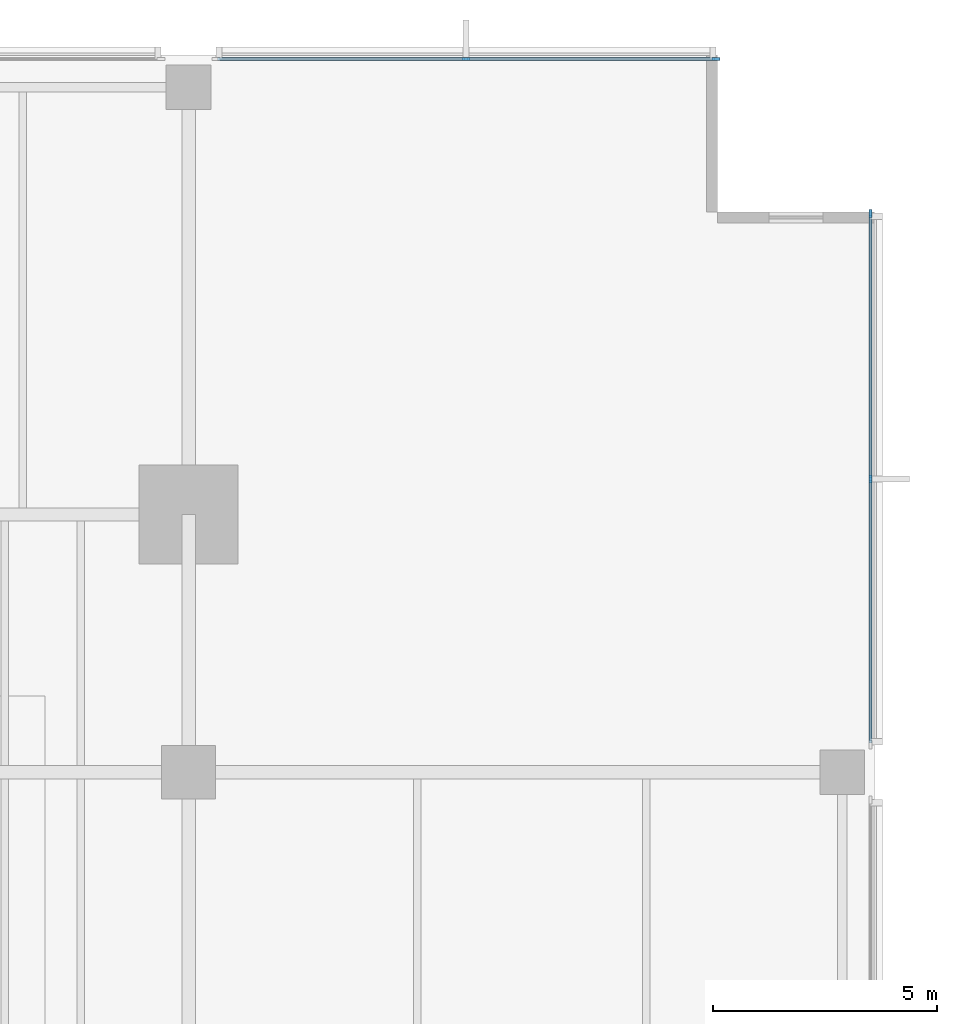
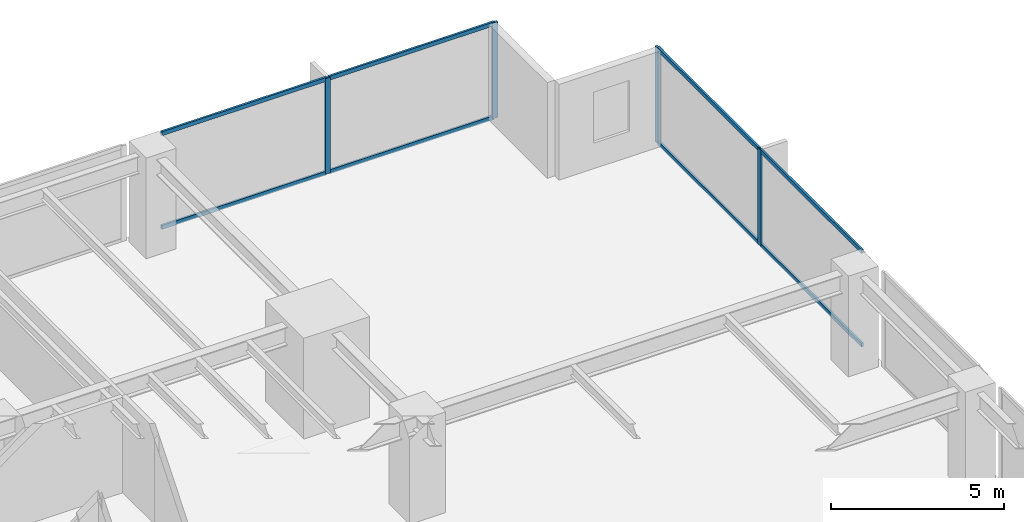
# One storey, part 6 of 15: 12 members, 2 elements without a shape of their own.
"""IFC4 building model written with IfcOpenShell, lengths in metres."""

from ifc_helpers import new_model, si_unit, direction, frame, origin, origin_2d, place, context, subcontext, project, spatial, rectangle, extrude, material, layer, layer_set, material_profile, profile_set, type_object, element, aggregate, save


model = new_model("IFC4")

# Units and contexts
model_context = context("Model", 3, precision=1e-05, world=origin(), true_north=direction((0.0, 1.0)))
body_context = subcontext(model_context, "Body", "Model", "MODEL_VIEW")
ifc_project = project(units=[si_unit("LENGTHUNIT", "METRE"), si_unit("AREAUNIT", "SQUARE_METRE"), si_unit("VOLUMEUNIT", "CUBIC_METRE"), si_unit("PLANEANGLEUNIT", "RADIAN"), si_unit("MASSUNIT", "GRAM", prefix="KILO")], contexts=[model_context])

# Site, building, storey
site_placement = place(None, origin())
site = spatial("IfcSite", under=ifc_project, at=site_placement, CompositionType="ELEMENT")
building_placement = place(site_placement, origin())
building = spatial("IfcBuilding", under=site, at=building_placement, Name="Kinhvarn Gate Tower", CompositionType="ELEMENT")
storey_placement = place(building_placement, frame((0.0, 0.0, 85.949951171875)))
storey = spatial("IfcBuildingStorey", under=building, at=storey_placement, Name="L22", CompositionType="ELEMENT", Elevation=85.949951171875)

# Curtain wall, members
ifc_material = material(Name="Anodised aluminium AW-6063", Category="aluminium")
ifc_layer = layer(ifc_material, 0.179931640625)
ifc_layer_set = layer_set([ifc_layer], Name="Anodised aluminium AW-6063")
curtain_wall_type = type_object("IfcCurtainWallType", Name="CW-SYS-2", PredefinedType="NOTDEFINED", material=ifc_layer_set)
curtain_wall_1_placement = place(storey_placement, origin())
curtain_wall_1 = element("IfcCurtainWall", 1, at=curtain_wall_1_placement, inside=storey, type_object=curtain_wall_type, Name="Curtain Wall CW2 (L22)", PredefinedType="NOTDEFINED")
ifc_material_profile_1 = material_profile(ifc_material, rectangle(XDim=0.070068359375, YDim=0.179931640625, at=origin_2d()), Name="ALU 70x180")
ifc_profile_set_1 = profile_set([ifc_material_profile_1], Name="Anodised aluminium AW-6063")
member_type_1 = type_object("IfcMemberType", Name="CW-MUL-180", PredefinedType="MULLION", material=ifc_profile_set_1)
member_1_placement = place(storey_placement, frame((49.965087890625, 47.909912109375, 0.0), z_axis=(0.0, 0.0, 1.0), x_axis=(0.0, -1.0, 0.0)))
member_1 = element("IfcMember", 2, at=member_1_placement, type_object=member_type_1, Name="CW2 mullion 1", PredefinedType="MULLION", context=body_context, shape_type="SweptSolid", body=[
    extrude(rectangle(XDim=0.070068359375, YDim=0.179931640625, at=origin_2d()), origin(), (0.0, 0.0, 1.0), 3.3701171875),
])
member_2_placement = place(storey_placement, frame((44.389892578125, 47.909912109375, 0.0), z_axis=(0.0, 0.0, 1.0), x_axis=(0.0, -1.0, 0.0)))
member_2 = element("IfcMember", 3, at=member_2_placement, type_object=member_type_1, Name="CW2 mullion 2", PredefinedType="MULLION", context=body_context, shape_type="SweptSolid", body=[
    extrude(rectangle(XDim=0.070068359375, YDim=0.179931640625, at=origin_2d()), origin(), (0.0, 0.0, 1.0), 3.3701171875),
])

curtain_wall_2_placement = place(storey_placement, origin())
curtain_wall_2 = element("IfcCurtainWall", 4, at=curtain_wall_2_placement, inside=storey, type_object=curtain_wall_type, Name="Curtain Wall CW2 (L22)", PredefinedType="NOTDEFINED")
member_3_placement = place(storey_placement, frame((53.409912109375, 38.5400390625, 0.0), z_axis=(0.0, 0.0, 1.0), x_axis=(-1.0, 0.0, 0.0)))
member_3 = element("IfcMember", 5, at=member_3_placement, type_object=member_type_1, Name="CW2 mullion 2", PredefinedType="MULLION", context=body_context, shape_type="SweptSolid", body=[
    extrude(rectangle(XDim=0.070068359375, YDim=0.179931640625, at=origin_2d()), origin(), (0.0, 0.0, 1.0), 3.3701171875),
])
member_4_placement = place(storey_placement, frame((53.409912109375, 44.465087890625, 0.0), z_axis=(0.0, 0.0, 1.0), x_axis=(-1.0, 0.0, 0.0)))
member_4 = element("IfcMember", 6, at=member_4_placement, type_object=member_type_1, Name="CW2 mullion 3", PredefinedType="MULLION", context=body_context, shape_type="SweptSolid", body=[
    extrude(rectangle(XDim=0.070068359375, YDim=0.179931640625, at=origin_2d()), origin(), (0.0, 0.0, 1.0), 3.3701171875),
])

# Member
ifc_material_profile_2 = material_profile(ifc_material, rectangle(XDim=0.070068359375, YDim=0.139892578125, at=origin_2d()), Name="ALU 70x140")
ifc_profile_set_2 = profile_set([ifc_material_profile_2], Name="Anodised aluminium AW-6063")
member_type_2 = type_object("IfcMemberType", Name="CW-TRN-140", PredefinedType="USERDEFINED", material=ifc_profile_set_2)
member_5_placement = place(storey_placement, frame((49.929931640625, 47.909912109375, 0.03515625), z_axis=(-1.0, 0.0, 0.0), x_axis=(0.0, -1.0, 0.0)))
member_5 = element("IfcMember", 7, at=member_5_placement, type_object=member_type_2, Name="CW2 transom 1.1", ObjectType="TRANSOM", PredefinedType="USERDEFINED", context=body_context, shape_type="SweptSolid", body=[
    extrude(rectangle(XDim=0.070068359375, YDim=0.139892578125, at=origin_2d()), origin(), (0.0, 0.0, 1.0), 5.5048828125),
])

member_6_placement = place(storey_placement, frame((49.929931640625, 47.909912109375, 3.3349609375), z_axis=(-1.0, 0.0, 0.0), x_axis=(0.0, -1.0, 0.0)))
member_6 = element("IfcMember", 8, at=member_6_placement, type_object=member_type_2, Name="CW2 transom 1.2", ObjectType="TRANSOM", PredefinedType="USERDEFINED", context=body_context, shape_type="SweptSolid", body=[
    extrude(rectangle(XDim=0.070068359375, YDim=0.139892578125, at=origin_2d()), origin(), (0.0, 0.0, 1.0), 5.5048828125),
])

member_7_placement = place(storey_placement, frame((44.35498046875, 47.909912109375, 0.03515625), z_axis=(-1.0, 0.0, 0.0), x_axis=(0.0, -1.0, 0.0)))
member_7 = element("IfcMember", 9, at=member_7_placement, type_object=member_type_2, Name="CW2 transom 2.1", ObjectType="TRANSOM", PredefinedType="USERDEFINED", context=body_context, shape_type="SweptSolid", body=[
    extrude(rectangle(XDim=0.070068359375, YDim=0.139892578125, at=origin_2d()), origin(), (0.0, 0.0, 1.0), 5.5048828125),
])

member_8_placement = place(storey_placement, frame((44.35498046875, 47.909912109375, 3.3349609375), z_axis=(-1.0, 0.0, 0.0), x_axis=(0.0, -1.0, 0.0)))
member_8 = element("IfcMember", 10, at=member_8_placement, type_object=member_type_2, Name="CW2 transom 2.2", ObjectType="TRANSOM", PredefinedType="USERDEFINED", context=body_context, shape_type="SweptSolid", body=[
    extrude(rectangle(XDim=0.070068359375, YDim=0.139892578125, at=origin_2d()), origin(), (0.0, 0.0, 1.0), 5.5048828125),
])

aggregate(curtain_wall_1, [member_1, member_2, member_5, member_6, member_7, member_8])

member_9_placement = place(storey_placement, frame((53.409912109375, 32.64990234375, 0.03515625), z_axis=(0.0, 1.0, 0.0), x_axis=(-1.0, 0.0, 0.0)))
member_9 = element("IfcMember", 11, at=member_9_placement, type_object=member_type_2, Name="CW2 transom 1.1", ObjectType="TRANSOM", PredefinedType="USERDEFINED", context=body_context, shape_type="SweptSolid", body=[
    extrude(rectangle(XDim=0.070068359375, YDim=0.139892578125, at=origin_2d()), origin(), (0.0, 0.0, 1.0), 5.85498046875),
])

member_10_placement = place(storey_placement, frame((53.409912109375, 32.64990234375, 3.3349609375), z_axis=(0.0, 1.0, 0.0), x_axis=(-1.0, 0.0, 0.0)))
member_10 = element("IfcMember", 12, at=member_10_placement, type_object=member_type_2, Name="CW2 transom 1.2", ObjectType="TRANSOM", PredefinedType="USERDEFINED", context=body_context, shape_type="SweptSolid", body=[
    extrude(rectangle(XDim=0.070068359375, YDim=0.139892578125, at=origin_2d()), origin(), (0.0, 0.0, 1.0), 5.85498046875),
])

member_11_placement = place(storey_placement, frame((53.409912109375, 38.574951171875, 0.03515625), z_axis=(0.0, 1.0, 0.0), x_axis=(-1.0, 0.0, 0.0)))
member_11 = element("IfcMember", 13, at=member_11_placement, type_object=member_type_2, Name="CW2 transom 2.1", ObjectType="TRANSOM", PredefinedType="USERDEFINED", context=body_context, shape_type="SweptSolid", body=[
    extrude(rectangle(XDim=0.070068359375, YDim=0.139892578125, at=origin_2d()), origin(), (0.0, 0.0, 1.0), 5.85498046875),
])

member_12_placement = place(storey_placement, frame((53.409912109375, 38.574951171875, 3.3349609375), z_axis=(0.0, 1.0, 0.0), x_axis=(-1.0, 0.0, 0.0)))
member_12 = element("IfcMember", 14, at=member_12_placement, type_object=member_type_2, Name="CW2 transom 2.2", ObjectType="TRANSOM", PredefinedType="USERDEFINED", context=body_context, shape_type="SweptSolid", body=[
    extrude(rectangle(XDim=0.070068359375, YDim=0.139892578125, at=origin_2d()), origin(), (0.0, 0.0, 1.0), 5.85498046875),
])

aggregate(curtain_wall_2, [member_3, member_4, member_9, member_10, member_11, member_12])

save(model, "model.ifc")
